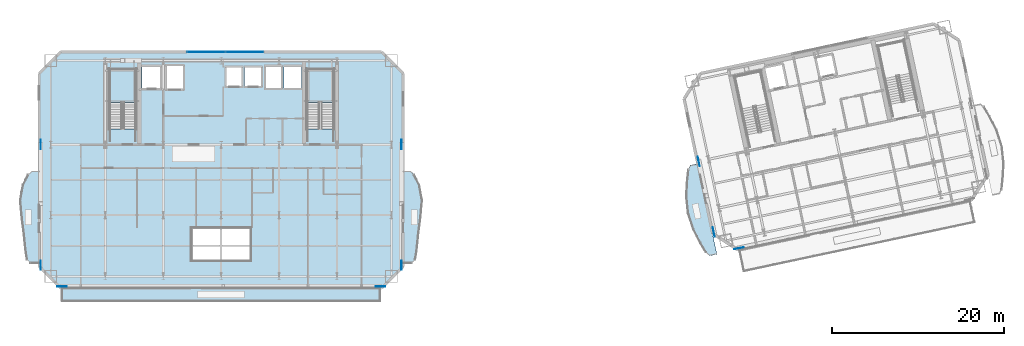
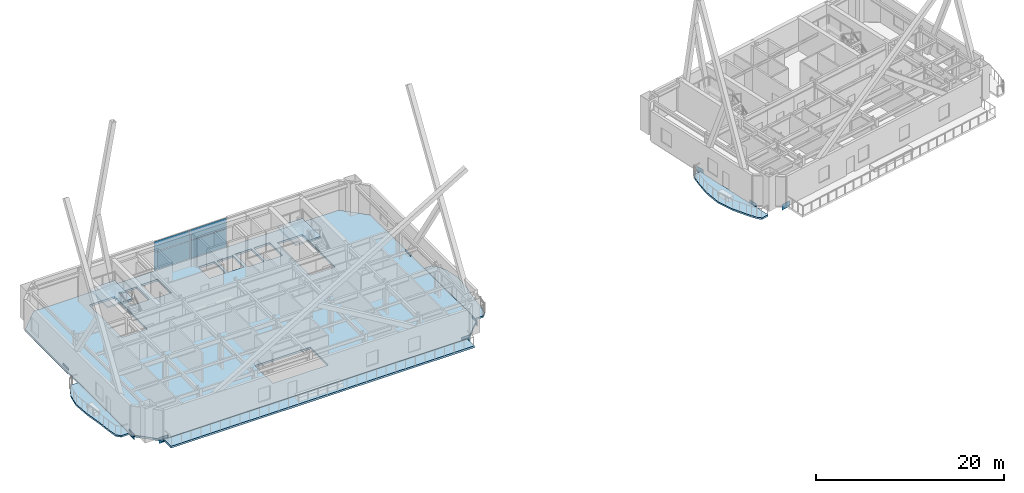
# One storey, part 10 of 22: 13 plates, 7 slabs, 3 elements without a shape of their own.
"""IFC4 building model written with IfcOpenShell, lengths in metres."""

import ifcopenshell
import ifcopenshell.guid

model = None  # the IFC model being written
_history = None  # IfcOwnerHistory: only IFC2X3 demands one
_inside = {}  # id of a spatial element -> (the spatial element, [elements in it])
_under = {}  # id of a project, library or spatial element -> (it, [spatial elements below it])
_declared = {}  # id of a project -> (the project, [libraries it declares])
_typed = {}  # id of a type object -> (the type object, [elements of that type])
_made_of = {}  # id of a material, layer set ... -> (it, [elements and type objects made of it])


def new_model(schema):
    """Start an empty IFC model of exactly this schema.

    Asked for "IFC4X3", IfcOpenShell would pick the latest addendum, in which some entities
    have other attributes; the version numbers below select the first issue.
    IFC2X3 requires an IfcOwnerHistory on every rooted entity: one is made here for all.
    """
    global model, _history
    if schema == "IFC4X3":
        model = ifcopenshell.file(schema_version=(4, 3, 0, 0))
    else:
        model = ifcopenshell.file(schema=schema)
    _inside.clear()
    _under.clear()
    _declared.clear()
    _typed.clear()
    _made_of.clear()
    _history = None
    if model.schema == "IFC2X3":
        org = make("IfcOrganization", Name="unknown")
        user = make(
            "IfcPersonAndOrganization",
            ThePerson=make("IfcPerson", FamilyName="unknown"),
            TheOrganization=org,
        )
        app = make(
            "IfcApplication",
            ApplicationDeveloper=org,
            Version="unknown",
            ApplicationFullName="unknown",
            ApplicationIdentifier="unknown",
        )
        _history = make(
            "IfcOwnerHistory",
            OwningUser=user,
            OwningApplication=app,
            ChangeAction="ADDED",
            CreationDate=0,
        )
    return model


def make(cls, **values):
    """One entity of the class cls with the attributes given. An attribute that is None is left unset."""
    return model.create_entity(
        cls, **{name: value for name, value in values.items() if value is not None}
    )


def rooted(cls, **values):
    """An entity with a GlobalId (a new one), such as an element, a storey or a relation."""
    return make(cls, GlobalId=ifcopenshell.guid.new(), OwnerHistory=_history, **values)


def si_unit(unit_type, name, prefix=None):
    """IfcSIUnit, for example si_unit("LENGTHUNIT", "METRE", prefix="MILLI")."""
    return make("IfcSIUnit", UnitType=unit_type, Prefix=prefix, Name=name)


def assignment(units):
    """IfcUnitAssignment: the units of a project."""
    return None if units is None else make("IfcUnitAssignment", Units=units)


def point(xyz):
    """IfcCartesianPoint."""
    return None if xyz is None else make("IfcCartesianPoint", Coordinates=xyz)


def direction(xyz):
    """IfcDirection."""
    return None if xyz is None else make("IfcDirection", DirectionRatios=xyz)


def frame(location, z_axis=None, x_axis=None):
    """IfcAxis2Placement3D, a coordinate frame: its origin and axes. An axis left out is left unset."""
    return make(
        "IfcAxis2Placement3D",
        Location=point(location),
        Axis=direction(z_axis),
        RefDirection=direction(x_axis),
    )


def frame_2d(location, x_axis=None):
    """IfcAxis2Placement2D, a coordinate frame in the plane: its origin and x axis."""
    return make(
        "IfcAxis2Placement2D", Location=point(location), RefDirection=direction(x_axis)
    )


def origin():
    """The frame at (0, 0, 0) with its axes left unset."""
    return frame((0.0, 0.0, 0.0))


def origin_2d():
    """The frame at (0, 0) in the plane with its x axis left unset."""
    return frame_2d((0.0, 0.0))


def place(relative_to, where):
    """IfcLocalPlacement: puts the frame where relative to a parent placement (None: the world)."""
    return make(
        "IfcLocalPlacement", PlacementRelTo=relative_to, RelativePlacement=where
    )


def context(
    kind, dimensions, precision=None, world=None, true_north=None, identifier=None
):
    """IfcGeometricRepresentationContext, for example the 3D "Model" context."""
    return make(
        "IfcGeometricRepresentationContext",
        ContextIdentifier=identifier,
        ContextType=kind,
        CoordinateSpaceDimension=dimensions,
        Precision=precision,
        WorldCoordinateSystem=world,
        TrueNorth=true_north,
    )


def subcontext(parent, identifier, kind, view, scale=None):
    """IfcGeometricRepresentationSubContext, for example "Body" below "Model"."""
    return make(
        "IfcGeometricRepresentationSubContext",
        ContextIdentifier=identifier,
        ContextType=kind,
        ParentContext=parent,
        TargetScale=scale,
        TargetView=view,
    )


def project(units=None, contexts=None):
    """IfcProject with its units and contexts."""
    return rooted(
        "IfcProject",
        Name="project",
        RepresentationContexts=contexts,
        UnitsInContext=assignment(units),
    )


def spatial(cls, under=None, at=None, **own):
    """A site, building, storey or space (cls), placed at a placement, below another one or the project."""
    s = rooted(cls, ObjectPlacement=at, **own)
    if under is not None:
        _under.setdefault(under.id(), (under, []))[1].append(s)
    return s


def polyline(points):
    """IfcPolyline through the points."""
    return make("IfcPolyline", Points=[point(p) for p in points])


def profile(cls, at=None, kind="AREA", **sizes):
    """A parametric profile (cls). Its sizes go by their IFC names, for example OverallWidth=200.0."""
    return make(cls, ProfileType=kind, Position=at, **sizes)


def rectangle(**sizes):
    """IfcRectangleProfileDef."""
    return profile("IfcRectangleProfileDef", **sizes)


def outline(outer, holes=None, kind="AREA"):
    """IfcArbitraryClosedProfileDef: a profile drawn as a closed curve; with holes, ...WithVoids."""
    if holes is None:
        return make("IfcArbitraryClosedProfileDef", ProfileType=kind, OuterCurve=outer)
    return make(
        "IfcArbitraryProfileDefWithVoids",
        ProfileType=kind,
        OuterCurve=outer,
        InnerCurves=holes,
    )


def extrude(swept, where, along, depth):
    """IfcExtrudedAreaSolid: the profile swept, set in the frame where, extruded along a direction by depth."""
    return make(
        "IfcExtrudedAreaSolid",
        SweptArea=swept,
        Position=where,
        ExtrudedDirection=direction(along),
        Depth=depth,
    )


def shape(context_of_items, identifier, shape_type, items):
    """IfcShapeRepresentation: the items that make up one representation, for example the "Body"."""
    return make(
        "IfcShapeRepresentation",
        ContextOfItems=context_of_items,
        RepresentationIdentifier=identifier,
        RepresentationType=shape_type,
        Items=items,
    )


def material(Name=None, Category=None):
    """IfcMaterial."""
    return make("IfcMaterial", Name=Name, Category=Category)


def layer(
    of_material, thickness, ventilated=None, Name=None, Category=None, Priority=None
):
    """IfcMaterialLayer: one layer of a wall or slab, of a material (None: an air gap)."""
    return make(
        "IfcMaterialLayer",
        Material=of_material,
        LayerThickness=thickness,
        IsVentilated=ventilated,
        Name=Name,
        Category=Category,
        Priority=Priority,
    )


def layer_set(layers, Name=None):
    """IfcMaterialLayerSet."""
    return make("IfcMaterialLayerSet", MaterialLayers=layers, LayerSetName=Name)


def made_of(thing, what):
    """Note that an element or type object is made of a material, layer set ...; save() writes the relation."""
    if what is not None:
        _made_of.setdefault(what.id(), (what, []))[1].append(thing)
    return thing


def type_object(cls, material=None, **own):
    """A type object (cls), such as IfcWallType, which elements share."""
    return made_of(rooted(cls, **own), material)


def element(
    cls,
    number,
    at=None,
    inside=None,
    cuts=None,
    type_object=None,
    material=None,
    context=None,
    identifier="Body",
    shape_type=None,
    held_by="IfcProductDefinitionShape",
    body=None,
    shapes=None,
    **own,
):
    """One element of the class cls, such as IfcWall. Its Tag is "e" and its number.

    at: its placement. inside: the storey or other place that contains it. cuts: it is an
    opening in that element (IfcRelVoidsElement). A single representation is given by context,
    identifier, shape_type and body (its items); several are given by shapes. held_by: the class
    of the entity that holds the representations. save() writes the other relations.
    """
    e = rooted(cls, Tag="e%d" % number, ObjectPlacement=at, **own)
    if body is not None:
        shapes = [shape(context, identifier, shape_type, body)]
    if shapes is not None:
        e.Representation = make(held_by, Representations=shapes)
    if inside is not None:
        _inside.setdefault(inside.id(), (inside, []))[1].append(e)
    if cuts is not None:
        rooted(
            "IfcRelVoidsElement", RelatingBuildingElement=cuts, RelatedOpeningElement=e
        )
    if type_object is not None:
        _typed.setdefault(type_object.id(), (type_object, []))[1].append(e)
    return made_of(e, material)


def aggregate(whole, parts):
    """IfcRelAggregates: a whole, such as a stair, and the parts it consists of."""
    return rooted("IfcRelAggregates", RelatingObject=whole, RelatedObjects=parts)


def save(model, path):
    """Write the relations noted so far, then the file.

    IfcRelAggregates (storeys below a building ...), IfcRelContainedInSpatialStructure (elements
    in a storey), IfcRelDefinesByType, IfcRelAssociatesMaterial and IfcRelDeclares: one each for
    every whole, place, type object, material and project.
    """
    for whole, parts in _under.values():
        aggregate(whole, parts)
    for where, things in _inside.values():
        rooted(
            "IfcRelContainedInSpatialStructure",
            RelatedElements=things,
            RelatingStructure=where,
        )
    for kind, things in _typed.values():
        rooted("IfcRelDefinesByType", RelatedObjects=things, RelatingType=kind)
    for what, things in _made_of.values():
        rooted("IfcRelAssociatesMaterial", RelatedObjects=things, RelatingMaterial=what)
    for by, libraries in _declared.values():
        rooted("IfcRelDeclares", RelatingContext=by, RelatedDefinitions=libraries)
    model.write(path)


model = new_model("IFC4")

# Units and contexts
model_context = context("Model", 3, precision=1e-05, world=origin(), true_north=direction((0.0, 1.0)))
body_context = subcontext(model_context, "Body", "Model", "MODEL_VIEW")
ifc_project = project(units=[si_unit("LENGTHUNIT", "METRE"), si_unit("AREAUNIT", "SQUARE_METRE"), si_unit("VOLUMEUNIT", "CUBIC_METRE"), si_unit("PLANEANGLEUNIT", "RADIAN"), si_unit("MASSUNIT", "GRAM", prefix="KILO")], contexts=[model_context])

# Site, building, storey
site_placement = place(None, origin())
site = spatial("IfcSite", under=ifc_project, at=site_placement, CompositionType="ELEMENT")
building_placement = place(site_placement, origin())
building = spatial("IfcBuilding", under=site, at=building_placement, Name="Haevon Station Towers", CompositionType="ELEMENT")
storey_placement = place(building_placement, frame((0.0, 0.0, 133.800048828125)))
storey = spatial("IfcBuildingStorey", under=building, at=storey_placement, Name="L36", CompositionType="ELEMENT", Elevation=133.800048828125)

# Curtain wall, plates
ifc_material_1 = material(Name="Anodised aluminium and Low-E double glazing", Category="aluminium")
ifc_layer_1 = layer(ifc_material_1, 0.179931640625)
ifc_layer_set_1 = layer_set([ifc_layer_1], Name="Anodised aluminium and Low-E double glazing")
curtain_wall_type = type_object("IfcCurtainWallType", Name="CW-SYS4", PredefinedType="NOTDEFINED", material=ifc_layer_set_1)
curtain_wall_placement = place(storey_placement, origin())
curtain_wall = element("IfcCurtainWall", 1, at=curtain_wall_placement, inside=storey, type_object=curtain_wall_type, Name="L36 Curtain Wall CW-T1-L36-N", PredefinedType="NOTDEFINED")
ifc_material_2 = material(Name="Low-E double glazing", Category="glass")
ifc_layer_2 = layer(ifc_material_2, 0.028076171875)
ifc_layer_set_2 = layer_set([ifc_layer_2], Name="Low-E double glazing")
plate_type_1 = type_object("IfcPlateType", Name="CWP-GLZ28", PredefinedType="CURTAIN_PANEL", material=ifc_layer_set_2)
plate_1_placement = place(storey_placement, frame((35.766357421875, 49.0, 0.06005859375), z_axis=(0.0, 0.0, 1.0), x_axis=(1.0, 0.0, 0.0)))
plate_1 = element("IfcPlate", 2, at=plate_1_placement, type_object=plate_type_1, Name="CW-SYS4 panel 1.1", PredefinedType="CURTAIN_PANEL", context=body_context, shape_type="SweptSolid", body=[
    extrude(rectangle(XDim=4.402587890625, YDim=0.028076171875, at=origin_2d()), origin(), (0.0, 0.0, 1.0), 2.309326171875),
])
plate_2_placement = place(storey_placement, frame((35.766357421875, 49.0, 2.42919921875), z_axis=(0.0, 0.0, 1.0), x_axis=(1.0, 0.0, 0.0)))
plate_2 = element("IfcPlate", 3, at=plate_2_placement, type_object=plate_type_1, Name="CW-SYS4 panel 1.2", PredefinedType="CURTAIN_PANEL", context=body_context, shape_type="SweptSolid", body=[
    extrude(rectangle(XDim=4.402587890625, YDim=0.028076171875, at=origin_2d()), origin(), (0.0, 0.0, 1.0), 1.380615234375),
])
plate_3_placement = place(storey_placement, frame((40.233642578125, 49.0, 0.06005859375), z_axis=(0.0, 0.0, 1.0), x_axis=(1.0, 0.0, 0.0)))
plate_3 = element("IfcPlate", 4, at=plate_3_placement, type_object=plate_type_1, Name="CW-SYS4 panel 2.1", PredefinedType="CURTAIN_PANEL", context=body_context, shape_type="SweptSolid", body=[
    extrude(rectangle(XDim=4.402587890625, YDim=0.028076171875, at=origin_2d()), origin(), (0.0, 0.0, 1.0), 2.309326171875),
])
plate_4_placement = place(storey_placement, frame((40.233642578125, 49.0, 2.42919921875), z_axis=(0.0, 0.0, 1.0), x_axis=(1.0, 0.0, 0.0)))
plate_4 = element("IfcPlate", 5, at=plate_4_placement, type_object=plate_type_1, Name="CW-SYS4 panel 2.2", PredefinedType="CURTAIN_PANEL", context=body_context, shape_type="SweptSolid", body=[
    extrude(rectangle(XDim=4.402587890625, YDim=0.028076171875, at=origin_2d()), origin(), (0.0, 0.0, 1.0), 1.380615234375),
])
aggregate(curtain_wall, [plate_1, plate_2, plate_3, plate_4])

# Plates
ifc_material_3 = material(Name="PL-SPL1", Category="steel")
ifc_layer_3 = layer(ifc_material_3, 0.031982421875)
ifc_layer_set_3 = layer_set([ifc_layer_3], Name="PL-SPL1")
plate_type_2 = type_object("IfcPlateType", Name="PL-SPL1", PredefinedType="USERDEFINED", material=ifc_layer_set_3)
for number, where, z_axis, x_axis, name in (
    (6, (18.949951171875, 21.679931640625, -0.4951171875), (0.0, 0.0, 1.0), (1.0, 0.0, 0.0), "PL-T1SPL-T05-S-1"),
    (7, (56.050048828125, 21.679931640625, -0.4951171875), (0.0, 0.0, 1.0), (1.0, 0.0, 0.0), "PL-T1SPL-T05-S-2"),
    (8, (16.47998046875, 24.14990234375, -0.4951171875), (0.0, 0.0, 1.0), (0.0, 1.0, 0.0), "PL-T1SPL-T05-W-1"),
    (9, (16.47998046875, 38.199951171875, -0.4951171875), (0.0, 0.0, 1.0), (0.0, 1.0, 0.0), "PL-T1SPL-T05-W-2"),
    (10, (58.52001953125, 24.14990234375, -0.4951171875), (0.0, 0.0, 1.0), (0.0, 1.0, 0.0), "PL-T1SPL-T05-E-1"),
    (11, (58.52001953125, 38.199951171875, -0.4951171875), (0.0, 0.0, 1.0), (0.0, 1.0, 0.0), "PL-T1SPL-T05-E-2"),
    (12, (97.833251953125, 26.13427734375, -0.4951171875), (0.0, 0.0, 1.0), (0.978147600734, 0.207911690818, 0.0), "PL-T2SPL-T05-S-1"),
    (13, (94.90380859375, 28.03662109375, -0.4951171875), (0.0, 0.0, 1.0), (-0.207911690818, 0.978147600734, 0.0), "PL-T2SPL-T05-W-1"),
    (14, (93.1572265625, 36.253173828125, -0.4951171875), (0.0, 0.0, 1.0), (-0.207911690818, 0.978147600734, 0.0), "PL-T2SPL-T05-W-2"),
):
    element("IfcPlate", number, at=place(storey_placement, frame(where, z_axis=z_axis, x_axis=x_axis)), inside=storey, type_object=plate_type_2, Name=name, ObjectType="SPLICE_PLATE", PredefinedType="USERDEFINED", context=body_context, shape_type="SweptSolid", body=[
        extrude(rectangle(XDim=1.10009765625, YDim=0.031982421875, at=origin_2d()), origin(), (0.0, 0.0, 1.0), 0.75),
    ])

# Slabs
ifc_material_4 = material(Name="Concrete C40/50", Category="concrete")
ifc_layer_4 = layer(ifc_material_4, 0.219970703125)
ifc_layer_set_4 = layer_set([ifc_layer_4], Name="Concrete C40/50")
slab_type_1 = type_object("IfcSlabType", Name="SL-BALC220", PredefinedType="FLOOR", material=ifc_layer_set_4)
slab_1_placement = place(storey_placement, frame((0.0, 0.0, -0.219970703125)))
element("IfcSlab", 15, at=slab_1_placement, inside=storey, type_object=slab_type_1, Name="Tower 1 L36 West SCALLOPED BALCONY", PredefinedType="FLOOR", context=body_context, shape_type="SweptSolid", body=[
    extrude(outline(polyline([(16.294921875, 35.14990234375), (15.445068359375, 35.14990234375), (15.00927734375, 34.739013671875), (14.40283203125, 33.568359375), (14.063720703125, 31.81640625), (14.195068359375, 29.75), (14.51171875, 27.68359375), (14.70068359375, 25.931640625), (14.884521484375, 24.760986328125), (15.306396484375, 24.35009765625), (16.294921875, 24.35009765625), (16.294921875, 35.14990234375)])), origin(), (0.0, 0.0, 1.0), 0.219970703125),
])
slab_2_placement = place(storey_placement, frame((0.0, 0.0, -0.219970703125)))
element("IfcSlab", 16, at=slab_2_placement, inside=storey, type_object=slab_type_1, Name="Tower 1 L36 East SCALLOPED BALCONY", PredefinedType="FLOOR", context=body_context, shape_type="SweptSolid", body=[
    extrude(outline(polyline([(58.705078125, 24.35009765625), (59.693603515625, 24.35009765625), (60.115478515625, 24.760986328125), (60.29931640625, 25.931640625), (60.48828125, 27.68359375), (60.804931640625, 29.75), (60.936279296875, 31.81640625), (60.59716796875, 33.568359375), (59.99072265625, 34.739013671875), (59.554931640625, 35.14990234375), (58.705078125, 35.14990234375), (58.705078125, 24.35009765625)])), origin(), (0.0, 0.0, 1.0), 0.219970703125),
])
slab_3_placement = place(storey_placement, frame((0.0, 0.0, -0.219970703125)))
element("IfcSlab", 17, at=slab_3_placement, inside=storey, type_object=slab_type_1, Name="Tower 2 L36 West SCALLOPED BALCONY", PredefinedType="FLOOR", context=body_context, shape_type="SweptSolid", body=[
    extrude(outline(polyline([(93.023193359375, 35.99462890625), (92.160400390625, 35.811279296875), (91.937255859375, 35.343505859375), (91.79248046875, 34.115966796875), (91.662109375, 32.29736328125), (91.843505859375, 30.22314453125), (92.521240234375, 28.254638671875), (93.38037109375, 26.646240234375), (94.01171875, 25.583740234375), (94.406005859375, 25.247314453125), (95.2685546875, 25.4306640625), (93.023193359375, 35.99462890625)])), origin(), (0.0, 0.0, 1.0), 0.219970703125),
])

# Stair, slab
stair_type = type_object("IfcStairType", Name="STR-DL1450", PredefinedType="USERDEFINED", material=ifc_material_4)
stair_1_placement = place(storey_placement, origin())
stair_1 = element("IfcStair", 18, at=stair_1_placement, inside=storey, type_object=stair_type, Name="L36 Escape Stair ST1", ObjectType="TWO_RETURN_STAIR", PredefinedType="USERDEFINED")
ifc_layer_5 = layer(ifc_material_4, 0.199951171875)
ifc_layer_set_5 = layer_set([ifc_layer_5], Name="Concrete C40/50")
slab_type_2 = type_object("IfcSlabType", Name="SL-LND200", PredefinedType="LANDING", material=ifc_layer_set_5)
slab_4_placement = place(storey_placement, frame((0.0, 0.0, 1.89990234375)))
slab_4 = element("IfcSlab", 19, at=slab_4_placement, type_object=slab_type_2, Name="L36 ST1 Half Landing 1", PredefinedType="LANDING", context=body_context, shape_type="SweptSolid", body=[
    extrude(outline(polyline([(27.580078125, 43.1240234375), (27.580078125, 47.0), (24.47998046875, 47.0), (24.47998046875, 43.1240234375), (27.580078125, 43.1240234375)])), origin(), (0.0, 0.0, 1.0), 0.199951171875),
])
aggregate(stair_1, [slab_4])

stair_2_placement = place(storey_placement, origin())
stair_2 = element("IfcStair", 20, at=stair_2_placement, inside=storey, type_object=stair_type, Name="L36 Escape Stair ST2", ObjectType="TWO_RETURN_STAIR", PredefinedType="USERDEFINED")
slab_5_placement = place(storey_placement, frame((0.0, 0.0, 1.89990234375)))
slab_5 = element("IfcSlab", 21, at=slab_5_placement, type_object=slab_type_2, Name="L36 ST2 Half Landing 1", PredefinedType="LANDING", context=body_context, shape_type="SweptSolid", body=[
    extrude(outline(polyline([(50.6201171875, 43.1240234375), (50.6201171875, 47.0), (47.52001953125, 47.0), (47.52001953125, 43.1240234375), (50.6201171875, 43.1240234375)])), origin(), (0.0, 0.0, 1.0), 0.199951171875),
])
aggregate(stair_2, [slab_5])

# Slabs
ifc_layer_6 = layer(ifc_material_4, 0.25)
ifc_layer_set_6 = layer_set([ifc_layer_6], Name="Concrete C40/50")
slab_type_3 = type_object("IfcSlabType", Name="SL-TERR250", PredefinedType="FLOOR", material=ifc_layer_set_6)
slab_6_placement = place(storey_placement, frame((0.0, 0.0, -0.25)))
element("IfcSlab", 22, at=slab_6_placement, inside=storey, type_object=slab_type_3, Name="Tower 1 L36 Sky Garden Terrace", PredefinedType="FLOOR", context=body_context, shape_type="SweptSolid", body=[
    extrude(outline(polyline([(18.89990234375, 20.0), (56.10009765625, 20.0), (56.10009765625, 21.4951171875), (18.89990234375, 21.4951171875), (18.89990234375, 20.0)])), origin(), (0.0, 0.0, 1.0), 0.25),
])
ifc_layer_7 = layer(ifc_material_4, 0.25)
ifc_layer_set_7 = layer_set([ifc_layer_7], Name="Concrete C40/50")
slab_type_4 = type_object("IfcSlabType", Name="SL-TW250", PredefinedType="FLOOR", material=ifc_layer_set_7)
slab_7_placement = place(storey_placement, frame((0.0, 0.0, -0.25)))
element("IfcSlab", 23, at=slab_7_placement, inside=storey, type_object=slab_type_4, Name="SL-T1-L36", PredefinedType="FLOOR", context=body_context, shape_type="SweptSolid", body=[
    extrude(outline(polyline([(18.800048828125, 21.5), (56.199951171875, 21.5), (58.699951171875, 24.0), (58.699951171875, 46.5), (56.199951171875, 49.0), (18.800048828125, 49.0), (16.300048828125, 46.5), (16.300048828125, 24.0), (18.800048828125, 21.5)]), holes=[polyline([(27.580078125, 40.055908203125), (27.580078125, 47.0), (24.47998046875, 47.0), (24.47998046875, 40.055908203125), (27.580078125, 40.055908203125)]), polyline([(50.6201171875, 40.055908203125), (50.6201171875, 47.0), (47.52001953125, 47.0), (47.52001953125, 40.055908203125), (50.6201171875, 40.055908203125)]), polyline([(28.300048828125, 44.699951171875), (30.5, 44.699951171875), (30.5, 47.39990234375), (28.300048828125, 47.39990234375), (28.300048828125, 44.699951171875)]), polyline([(31.050048828125, 44.60009765625), (33.14990234375, 44.60009765625), (33.14990234375, 47.5), (31.050048828125, 47.5), (31.050048828125, 44.60009765625)]), polyline([(38.0, 44.89990234375), (40.0, 44.89990234375), (40.0, 47.300048828125), (38.0, 47.300048828125), (38.0, 44.89990234375)]), polyline([(40.25, 44.89990234375), (42.25, 44.89990234375), (42.25, 47.300048828125), (40.25, 47.300048828125), (40.25, 44.89990234375)]), polyline([(42.60009765625, 44.699951171875), (44.60009765625, 44.699951171875), (44.60009765625, 47.39990234375), (42.60009765625, 47.39990234375), (42.60009765625, 44.699951171875)]), polyline([(44.85009765625, 44.699951171875), (46.85009765625, 44.699951171875), (46.85009765625, 47.39990234375), (44.85009765625, 47.39990234375), (44.85009765625, 44.699951171875)]), polyline([(34.10009765625, 24.699951171875), (40.89990234375, 24.699951171875), (40.89990234375, 28.5), (34.10009765625, 28.5), (34.10009765625, 24.699951171875)])]), origin(), (0.0, 0.0, 1.0), 0.25),
])

save(model, "model.ifc")
